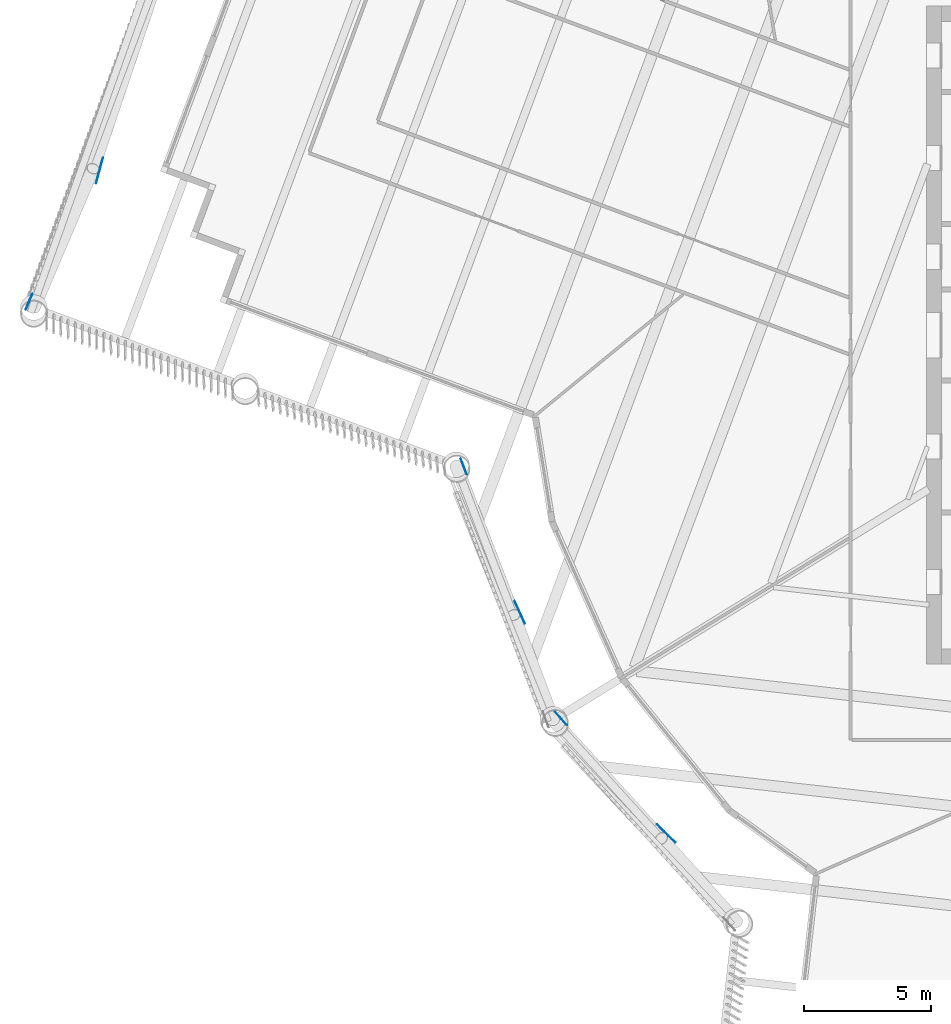
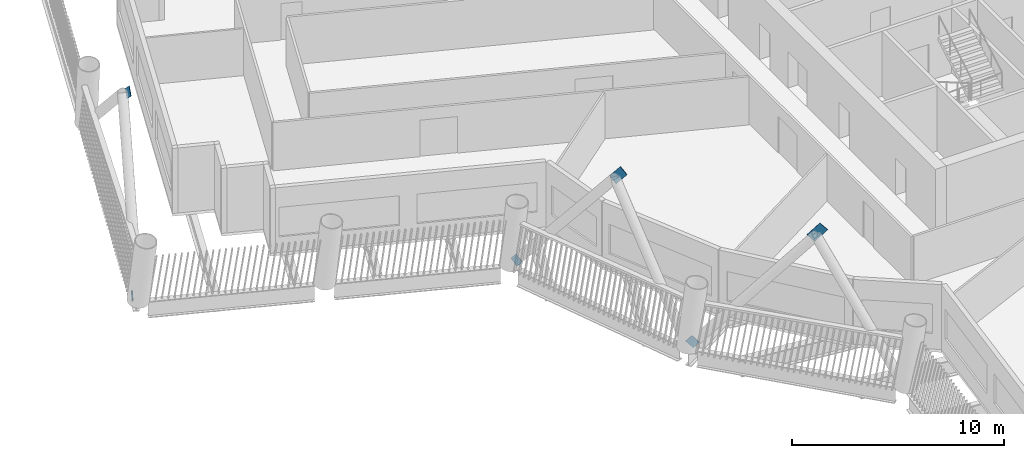
# One storey, part 9 of 22: 6 discrete accessories.
"""IFC4 building model written with IfcOpenShell, lengths in metres."""

from ifc_helpers import new_model, si_unit, direction, frame, origin, origin_2d, place, context, subcontext, project, spatial, rectangle, extrude, material, material_profile, profile_set, type_object, element, save


model = new_model("IFC4")

# Units and contexts
model_context = context("Model", 3, precision=1e-05, world=origin(), true_north=direction((0.0, 1.0)))
body_context = subcontext(model_context, "Body", "Model", "MODEL_VIEW")
ifc_project = project(units=[si_unit("LENGTHUNIT", "METRE"), si_unit("AREAUNIT", "SQUARE_METRE"), si_unit("VOLUMEUNIT", "CUBIC_METRE"), si_unit("PLANEANGLEUNIT", "RADIAN"), si_unit("MASSUNIT", "GRAM", prefix="KILO")], contexts=[model_context])

# Site, building, storey
site_placement = place(None, origin())
site = spatial("IfcSite", under=ifc_project, at=site_placement, CompositionType="ELEMENT")
building_placement = place(site_placement, origin())
building = spatial("IfcBuilding", under=site, at=building_placement, Name="Tarsis Ring Headquarters", CompositionType="ELEMENT")
storey_placement = place(building_placement, frame((0.0, 0.0, 200.39990234375)))
storey = spatial("IfcBuildingStorey", under=building, at=storey_placement, Name="L46", CompositionType="ELEMENT", Elevation=200.39990234375)

# Discrete accessories
ifc_material = material(Name="Structural steel S355", Category="steel")
ifc_material_profile = material_profile(ifc_material, rectangle(XDim=0.02490234375, YDim=0.5, at=origin_2d()), Name="PL 25x500")
ifc_profile_set = profile_set([ifc_material_profile], Name="Structural steel S355")
discrete_accessory_type = type_object("IfcDiscreteAccessoryType", Name="Gusset plate Exo brace 25", PredefinedType="BRACKET", material=ifc_profile_set)
discrete_accessory_1_placement = place(storey_placement, frame((-24.55517578125, -15.024169921875, 0.0), z_axis=(0.425324709797, -0.46585507824, 0.775936812707), x_axis=(0.738502252812, 0.674251008595, 0.0)))
element("IfcDiscreteAccessory", 1, at=discrete_accessory_1_placement, inside=storey, type_object=discrete_accessory_type, Name="Gusset plate GP5", PredefinedType="BRACKET", context=body_context, shape_type="SweptSolid", body=[
    extrude(rectangle(XDim=0.02490234375, YDim=0.5, at=origin_2d()), origin(), (0.0, 0.0, 1.0), 0.5),
])
for number, where, z_axis, x_axis, name in (
    (2, (-20.517578125, -19.47705078125, 7.412109375), (0.453367438191, -0.438719055697, 0.775875992769), (0.695402088688, 0.718620856257, 0.0), "Gusset plate GP5"),
    (3, (-42.578857421875, 6.870361328125, 7.46923828125), (-0.195793119927, -0.723848629157, 0.661595205739), (0.965310182766, -0.261105823467, 0.0), "Gusset plate GP5"),
):
    element("IfcDiscreteAccessory", number, at=place(storey_placement, frame(where, z_axis=z_axis, x_axis=x_axis)), inside=storey, type_object=discrete_accessory_type, Name=name, PredefinedType="BRACKET", context=body_context, shape_type="SweptSolid", body=[
        extrude(rectangle(XDim=0.02490234375, YDim=0.5, at=origin_2d()), origin(), (0.0, 0.0, 1.0), 1.0),
    ])
for number, where, z_axis, x_axis, name in (
    (4, (-45.51904296875, 1.18310546875, 0.0), (0.238251941099, 0.55950148463, 0.793847656203), (-0.920056136152, 0.391786557105, 0.0), "Gusset plate GP5"),
    (5, (-28.341552734375, -5.04345703125, 0.0), (0.226089797545, -0.588907766392, 0.775932372137), (0.933564893194, 0.358408412561, 0.0), "Gusset plate GP5"),
):
    element("IfcDiscreteAccessory", number, at=place(storey_placement, frame(where, z_axis=z_axis, x_axis=x_axis)), inside=storey, type_object=discrete_accessory_type, Name=name, PredefinedType="BRACKET", context=body_context, shape_type="SweptSolid", body=[
        extrude(rectangle(XDim=0.02490234375, YDim=0.5, at=origin_2d()), origin(), (0.0, 0.0, 1.0), 0.5),
    ])
discrete_accessory_2_placement = place(storey_placement, frame((-26.2041015625, -10.66162109375, 7.412109375), z_axis=(0.262219191269, -0.573757075867, 0.77591488813), x_axis=(0.909516283622, 0.415668293025, 0.0)))
element("IfcDiscreteAccessory", 6, at=discrete_accessory_2_placement, inside=storey, type_object=discrete_accessory_type, Name="Gusset plate GP5", PredefinedType="BRACKET", context=body_context, shape_type="SweptSolid", body=[
    extrude(rectangle(XDim=0.02490234375, YDim=0.5, at=origin_2d()), origin(), (0.0, 0.0, 1.0), 1.0),
])

save(model, "model.ifc")
